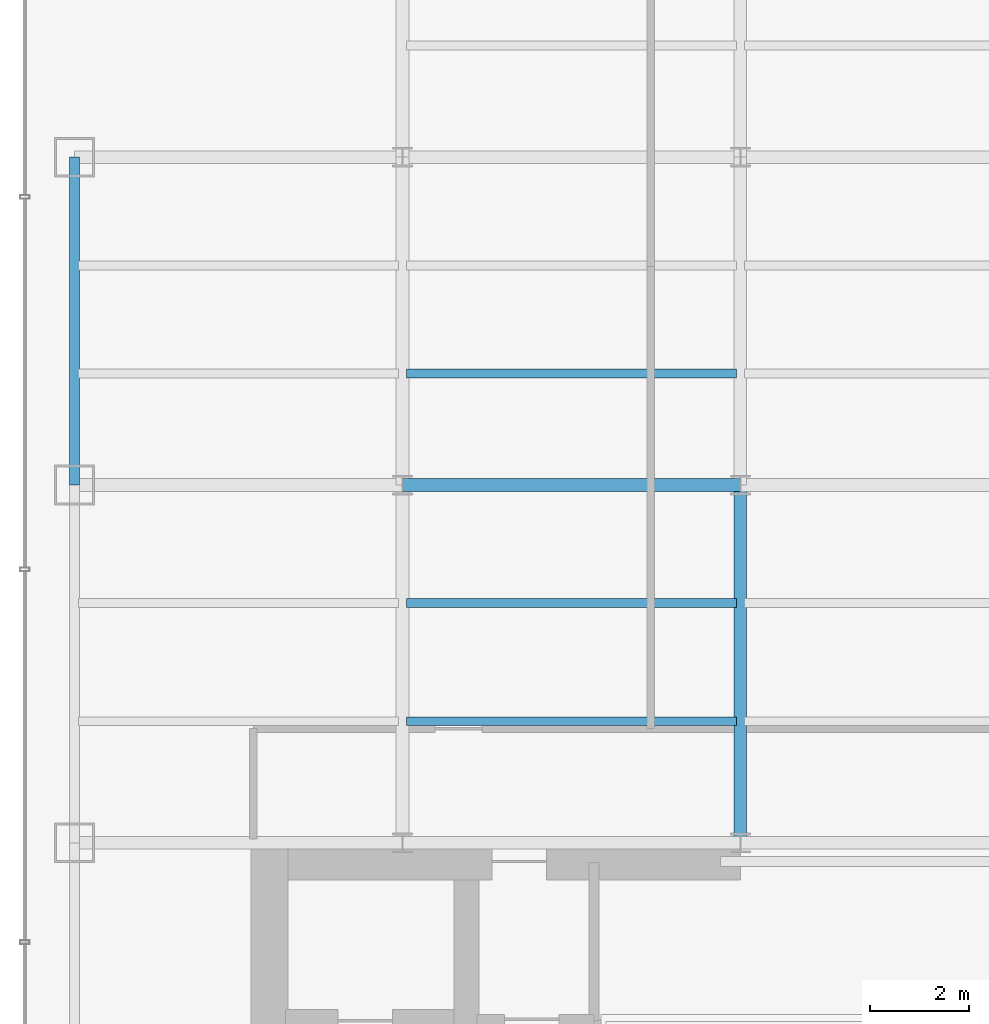
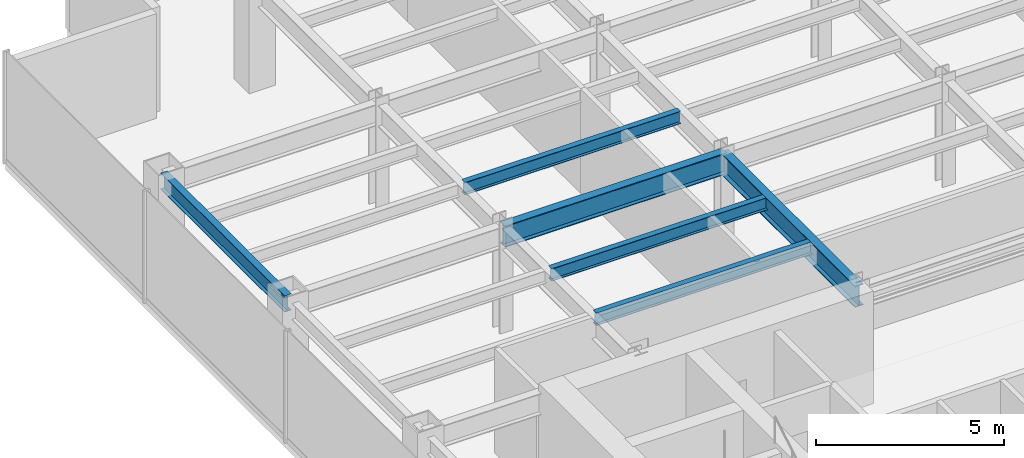
# One storey, part 5 of 26: 6 beams.
"""IFC4 building model written with IfcOpenShell, lengths in metres."""

from ifc_helpers import new_model, si_unit, derived_unit, direction, frame, origin, origin_2d, place, context, subcontext, project, spatial, i_section, extrude, source, transform, mapped, material, material_profile, profile_set, type_object, element, save


model = new_model("IFC4")

# Units and contexts
model_context = context("Model", 3, precision=1e-05, world=origin(), true_north=direction((0.0, 1.0)))
body_context = subcontext(model_context, "Body", "Model", "MODEL_VIEW")
ifc_project = project(units=[si_unit("LENGTHUNIT", "METRE"), si_unit("AREAUNIT", "SQUARE_METRE"), si_unit("VOLUMEUNIT", "CUBIC_METRE"), si_unit("PLANEANGLEUNIT", "RADIAN"), si_unit("MASSUNIT", "GRAM", prefix="KILO"), derived_unit("THERMALTRANSMITTANCEUNIT", [(si_unit("POWERUNIT", "WATT"), 1), (si_unit("LENGTHUNIT", "METRE"), -2), (si_unit("THERMODYNAMICTEMPERATUREUNIT", "KELVIN"), -1)])], contexts=[model_context])

# Site, building, storey
site_placement = place(None, origin())
site = spatial("IfcSite", under=ifc_project, at=site_placement, CompositionType="ELEMENT")
building_placement = place(site_placement, origin())
building = spatial("IfcBuilding", under=site, at=building_placement, Name="Skarnbrae Concourse Arena and Tower", CompositionType="ELEMENT")
storey_placement = place(building_placement, frame((0.0, 0.0, 117.85009765625)))
storey = spatial("IfcBuildingStorey", under=building, at=storey_placement, Name="L29", CompositionType="ELEMENT", Elevation=117.85009765625)

# Beams
ifc_material = material(Name="Steel CSA G40.21 350W", Category="steel")
ifc_material_profile_1 = material_profile(ifc_material, i_section(OverallWidth=0.256103515625, OverallDepth=0.693115234375, WebThickness=0.014404296875, FlangeThickness=0.023681640625, at=origin_2d()), Name="W690X170")
ifc_profile_set_1 = profile_set([ifc_material_profile_1], Name="Steel CSA G40.21 350W")
beam_type_1 = type_object("IfcBeamType", Name="BM-GIRD-W690X170", PredefinedType="BEAM", material=ifc_profile_set_1)
shared_shape_1 = source(origin(), body_context, "Body", "SweptSolid", [
    extrude(i_section(OverallWidth=0.256103515625, OverallDepth=0.693115234375, WebThickness=0.014404296875, FlangeThickness=0.023681640625, at=origin_2d()), origin(), (0.0, 0.0, 1.0), 6.7998046875),
])
beam_1_placement = place(storey_placement, frame((7.60009765625, 21.199951171875, 3.053466796875), z_axis=(1.0, 0.0, 0.0), x_axis=(0.0, 1.0, 0.0)))
element("IfcBeam", 1, at=beam_1_placement, inside=storey, type_object=beam_type_1, Name="L29 Primary E-W girder Y21.2-2", PredefinedType="BEAM", context=body_context, shape_type="MappedRepresentation", body=[
    mapped(shared_shape_1, transform((0.0, 0.0, 0.0))),
])
ifc_material_profile_2 = material_profile(ifc_material, i_section(OverallWidth=0.208984375, OverallDepth=0.532958984375, WebThickness=0.01025390625, FlangeThickness=0.015625, at=origin_2d()), Name="W530X92")
ifc_profile_set_2 = profile_set([ifc_material_profile_2], Name="Steel CSA G40.21 350W")
beam_type_2 = type_object("IfcBeamType", Name="BM-SPAN-W530X92", PredefinedType="SPANDREL", material=ifc_profile_set_2)
shared_shape_2 = source(origin(), body_context, "Body", "SweptSolid", [
    extrude(i_section(OverallWidth=0.208984375, OverallDepth=0.532958984375, WebThickness=0.01025390625, FlangeThickness=0.015625, at=origin_2d()), origin(), (0.0, 0.0, 1.0), 6.60009765625),
])
beam_2_placement = place(storey_placement, frame((1.0, 21.199951171875, 3.13330078125), z_axis=(0.0, 1.0, 0.0), x_axis=(-1.0, 0.0, 0.0)))
element("IfcBeam", 2, at=beam_2_placement, inside=storey, type_object=beam_type_2, Name="L29 Perimeter spandrel X1.0-3", PredefinedType="SPANDREL", context=body_context, shape_type="MappedRepresentation", body=[
    mapped(shared_shape_2, transform((0.0, 0.0, 0.0))),
])
shared_shape_3 = source(origin(), body_context, "Body", "SweptSolid", [
    extrude(i_section(OverallWidth=0.256103515625, OverallDepth=0.693115234375, WebThickness=0.014404296875, FlangeThickness=0.023681640625, at=origin_2d()), origin(), (0.0, 0.0, 1.0), 7.199951171875),
])
beam_3_placement = place(storey_placement, frame((14.39990234375, 14.0, 3.053466796875), z_axis=(0.0, 1.0, 0.0), x_axis=(-1.0, 0.0, 0.0)))
element("IfcBeam", 3, at=beam_3_placement, inside=storey, type_object=beam_type_1, Name="L29 Primary N-S girder X14.4-1", PredefinedType="BEAM", context=body_context, shape_type="MappedRepresentation", body=[
    mapped(shared_shape_3, transform((0.0, 0.0, 0.0))),
])
ifc_material_profile_3 = material_profile(ifc_material, i_section(OverallWidth=0.177978515625, OverallDepth=0.406982421875, WebThickness=0.0078125, FlangeThickness=0.0126953125, at=origin_2d()), Name="W410X60")
ifc_profile_set_3 = profile_set([ifc_material_profile_3], Name="Steel CSA G40.21 350W")
beam_type_3 = type_object("IfcBeamType", Name="BM-JOIST-W410X60", PredefinedType="JOIST", material=ifc_profile_set_3)
shared_shape_4 = source(origin(), body_context, "Body", "SweptSolid", [
    extrude(i_section(OverallWidth=0.177978515625, OverallDepth=0.406982421875, WebThickness=0.0078125, FlangeThickness=0.0126953125, at=origin_2d()), origin(), (0.0, 0.0, 1.0), 6.64013671875),
])
for number, where, z_axis, x_axis, name in (
    (4, (7.679931640625, 16.447998046875, 3.1962890625), (1.0, 0.0, 0.0), (0.0, 1.0, 0.0), "L29 Secondary floor joist 1.1.2"),
    (5, (7.679931640625, 18.823974609375, 3.1962890625), (1.0, 0.0, 0.0), (0.0, 1.0, 0.0), "L29 Secondary floor joist 1.2.2"),
    (6, (7.679931640625, 23.444091796875, 3.1962890625), (1.0, 0.0, 0.0), (0.0, 1.0, 0.0), "L29 Secondary floor joist 2.1.2"),
):
    element("IfcBeam", number, at=place(storey_placement, frame(where, z_axis=z_axis, x_axis=x_axis)), inside=storey, type_object=beam_type_3, Name=name, PredefinedType="JOIST", context=body_context, shape_type="MappedRepresentation", body=[
        mapped(shared_shape_4, transform((0.0, 0.0, 0.0))),
    ])

save(model, "model.ifc")
